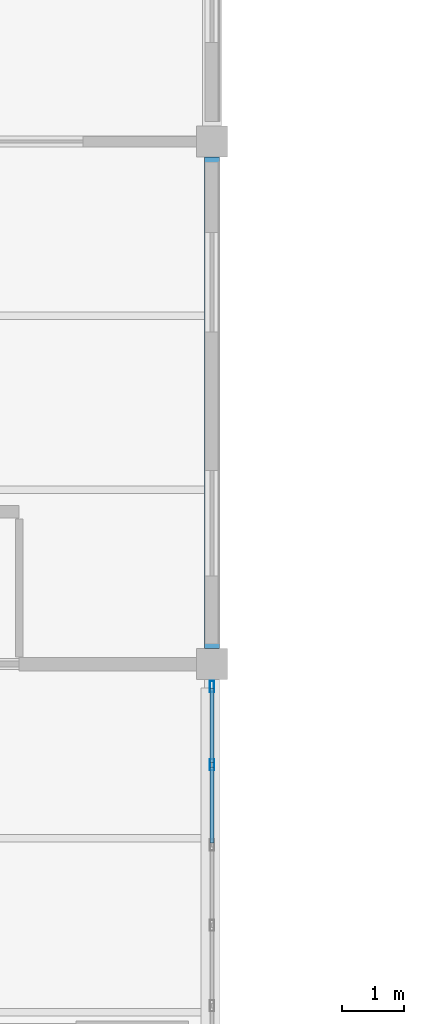
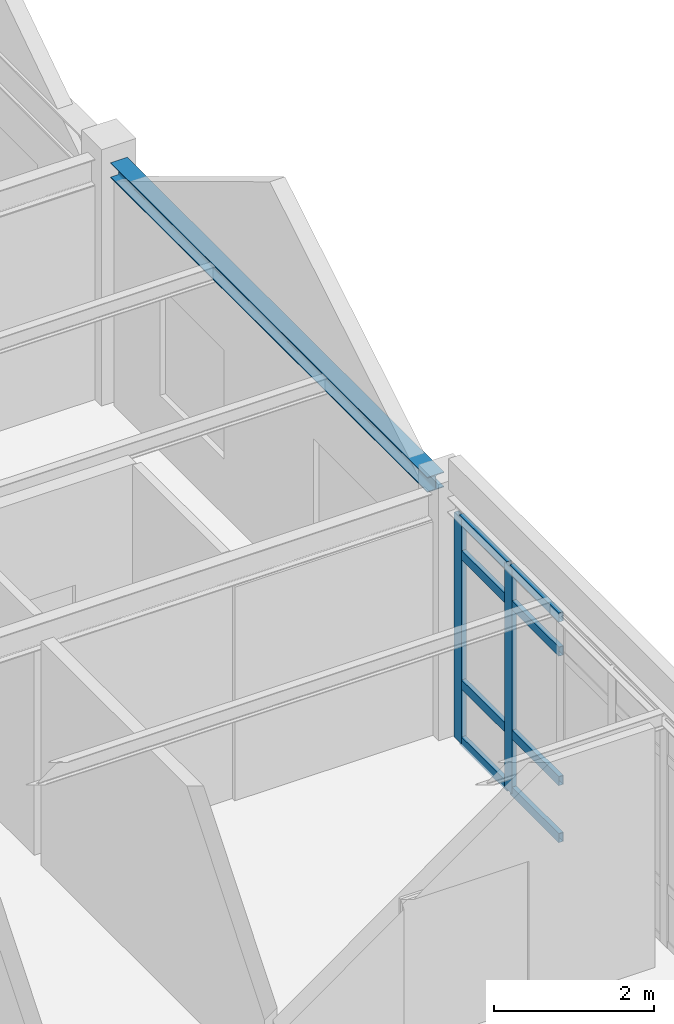
# One storey, part 8 of 45: 10 members, 1 beam, 1 element without a shape of its own.
"""IFC4 building model written with IfcOpenShell, lengths in metres."""

from ifc_helpers import new_model, si_unit, direction, frame, origin, origin_2d, place, context, subcontext, project, spatial, hollow_rectangle, i_section, extrude, material, layer, layer_set, material_profile, profile_set, type_object, element, aggregate, save


model = new_model("IFC4")

# Units and contexts
model_context = context("Model", 3, precision=1e-05, world=origin(), true_north=direction((0.0, 1.0)))
body_context = subcontext(model_context, "Body", "Model", "MODEL_VIEW")
ifc_project = project(units=[si_unit("LENGTHUNIT", "METRE"), si_unit("AREAUNIT", "SQUARE_METRE"), si_unit("VOLUMEUNIT", "CUBIC_METRE"), si_unit("PLANEANGLEUNIT", "RADIAN"), si_unit("MASSUNIT", "GRAM", prefix="KILO")], contexts=[model_context])

# Site, building, storey
site_placement = place(None, origin())
site = spatial("IfcSite", under=ifc_project, at=site_placement, CompositionType="ELEMENT")
building_placement = place(site_placement, origin())
building = spatial("IfcBuilding", under=site, at=building_placement, Name="Bramfleet General Hospital", CompositionType="ELEMENT")
storey_placement = place(building_placement, frame((0.0, 0.0, 30.300048828125)))
storey = spatial("IfcBuildingStorey", under=building, at=storey_placement, Name="L07", CompositionType="ELEMENT", Elevation=30.300048828125)

# Beam
ifc_material_1 = material(Name="Steel S355", Category="steel")
ifc_material_profile_1 = material_profile(ifc_material_1, i_section(OverallWidth=0.239990234375, OverallDepth=0.22998046875, WebThickness=0.007568359375, FlangeThickness=0.011962890625, FilletRadius=0.02099609375, at=origin_2d()), Name="HEA 240")
ifc_profile_set_1 = profile_set([ifc_material_profile_1], Name="Steel S355")
beam_type = type_object("IfcBeamType", Name="BM-HEA240", PredefinedType="SPANDREL", material=ifc_profile_set_1)
beam_placement = place(storey_placement, frame((117.60009765625, 50.64990234375, 3.544921875), z_axis=(0.0, 1.0, 0.0), x_axis=(-1.0, 0.0, 0.0)))
element("IfcBeam", 1, at=beam_placement, inside=storey, type_object=beam_type, Name="L07 Grid Beam Y 14-06", PredefinedType="SPANDREL", context=body_context, shape_type="SweptSolid", body=[
    extrude(i_section(OverallWidth=0.239990234375, OverallDepth=0.22998046875, WebThickness=0.007568359375, FlangeThickness=0.011962890625, FilletRadius=0.02099609375, at=origin_2d()), origin(), (0.0, 0.0, 1.0), 7.900146484375),
])

# Curtain wall, members
ifc_material_2 = material(Name="Anodised aluminium and low-E triple glazing", Category="aluminium")
ifc_layer = layer(ifc_material_2, 0.179931640625, Name="CWT-CW-15")
ifc_layer_set = layer_set([ifc_layer], Name="Anodised aluminium and low-E triple glazing")
curtain_wall_type = type_object("IfcCurtainWallType", Name="CWT-CW-15", PredefinedType="USERDEFINED", material=ifc_layer_set)
curtain_wall_placement = place(storey_placement, origin())
curtain_wall = element("IfcCurtainWall", 2, at=curtain_wall_placement, inside=storey, type_object=curtain_wall_type, Name="L07 Curtain Wall 231", ObjectType="Stick curtain wall", PredefinedType="USERDEFINED")
ifc_material_3 = material(Name="Anodised aluminium EN AW-6060", Category="aluminium")
ifc_material_profile_2 = material_profile(ifc_material_3, hollow_rectangle(XDim=0.070068359375, YDim=0.179931640625, WallThickness=0.00390625, at=origin_2d()), Name="ALU 180x70x4.0")
ifc_profile_set_2 = profile_set([ifc_material_profile_2], Name="Anodised aluminium EN AW-6060")
member_type_1 = type_object("IfcMemberType", Name="CWM-ALU180", PredefinedType="MULLION", material=ifc_profile_set_2)
member_1_placement = place(storey_placement, frame((117.60009765625, 50.0400390625, 0.0), z_axis=(0.0, 0.0, 1.0), x_axis=(1.0, 0.0, 0.0)))
member_1 = element("IfcMember", 3, at=member_1_placement, type_object=member_type_1, Name="CW-15 mullion 1", PredefinedType="MULLION", context=body_context, shape_type="SweptSolid", body=[
    extrude(hollow_rectangle(XDim=0.070068359375, YDim=0.179931640625, WallThickness=0.00390625, at=origin_2d()), origin(), (0.0, 0.0, 1.0), 3.419921875),
])
member_2_placement = place(storey_placement, frame((117.60009765625, 48.783447265625, 0.0), z_axis=(0.0, 0.0, 1.0), x_axis=(1.0, 0.0, 0.0)))
member_2 = element("IfcMember", 4, at=member_2_placement, type_object=member_type_1, Name="CW-15 mullion 2", PredefinedType="MULLION", context=body_context, shape_type="SweptSolid", body=[
    extrude(hollow_rectangle(XDim=0.070068359375, YDim=0.179931640625, WallThickness=0.00390625, at=origin_2d()), origin(), (0.0, 0.0, 1.0), 3.419921875),
])
ifc_material_profile_3 = material_profile(ifc_material_3, hollow_rectangle(XDim=0.06494140625, YDim=0.139892578125, WallThickness=0.00390625, at=origin_2d()), Name="ALU 140x65x4.0")
ifc_profile_set_3 = profile_set([ifc_material_profile_3], Name="Anodised aluminium EN AW-6060")
member_type_2 = type_object("IfcMemberType", Name="CWT-ALU140", PredefinedType="USERDEFINED", material=ifc_profile_set_3)
member_3_placement = place(storey_placement, frame((117.60009765625, 50.0048828125, 0.032470703125), z_axis=(0.0, -1.0, 0.0), x_axis=(1.0, 0.0, 0.0)))
member_3 = element("IfcMember", 5, at=member_3_placement, type_object=member_type_2, Name="CW-15 transom 1.1", ObjectType="TRANSOM", PredefinedType="USERDEFINED", context=body_context, shape_type="SweptSolid", body=[
    extrude(hollow_rectangle(XDim=0.06494140625, YDim=0.139892578125, WallThickness=0.00390625, at=origin_2d()), origin(), (0.0, 0.0, 1.0), 1.1865234375),
])
member_4_placement = place(storey_placement, frame((117.60009765625, 50.0048828125, 0.89990234375), z_axis=(0.0, -1.0, 0.0), x_axis=(1.0, 0.0, 0.0)))
member_4 = element("IfcMember", 6, at=member_4_placement, type_object=member_type_2, Name="CW-15 transom 1.2", ObjectType="TRANSOM", PredefinedType="USERDEFINED", context=body_context, shape_type="SweptSolid", body=[
    extrude(hollow_rectangle(XDim=0.06494140625, YDim=0.139892578125, WallThickness=0.00390625, at=origin_2d()), origin(), (0.0, 0.0, 1.0), 1.1865234375),
])
member_5_placement = place(storey_placement, frame((117.60009765625, 50.0048828125, 2.869873046875), z_axis=(0.0, -1.0, 0.0), x_axis=(1.0, 0.0, 0.0)))
member_5 = element("IfcMember", 7, at=member_5_placement, type_object=member_type_2, Name="CW-15 transom 1.3", ObjectType="TRANSOM", PredefinedType="USERDEFINED", context=body_context, shape_type="SweptSolid", body=[
    extrude(hollow_rectangle(XDim=0.06494140625, YDim=0.139892578125, WallThickness=0.00390625, at=origin_2d()), origin(), (0.0, 0.0, 1.0), 1.1865234375),
])
member_6_placement = place(storey_placement, frame((117.60009765625, 50.0048828125, 3.387451171875), z_axis=(0.0, -1.0, 0.0), x_axis=(1.0, 0.0, 0.0)))
member_6 = element("IfcMember", 8, at=member_6_placement, type_object=member_type_2, Name="CW-15 transom 1.4", ObjectType="TRANSOM", PredefinedType="USERDEFINED", context=body_context, shape_type="SweptSolid", body=[
    extrude(hollow_rectangle(XDim=0.06494140625, YDim=0.139892578125, WallThickness=0.00390625, at=origin_2d()), origin(), (0.0, 0.0, 1.0), 1.1865234375),
])
member_7_placement = place(storey_placement, frame((117.60009765625, 48.748291015625, 0.032470703125), z_axis=(0.0, -1.0, 0.0), x_axis=(1.0, 0.0, 0.0)))
member_7 = element("IfcMember", 9, at=member_7_placement, type_object=member_type_2, Name="CW-15 transom 2.1", ObjectType="TRANSOM", PredefinedType="USERDEFINED", context=body_context, shape_type="SweptSolid", body=[
    extrude(hollow_rectangle(XDim=0.06494140625, YDim=0.139892578125, WallThickness=0.00390625, at=origin_2d()), origin(), (0.0, 0.0, 1.0), 1.2216796875),
])
member_8_placement = place(storey_placement, frame((117.60009765625, 48.748291015625, 0.89990234375), z_axis=(0.0, -1.0, 0.0), x_axis=(1.0, 0.0, 0.0)))
member_8 = element("IfcMember", 10, at=member_8_placement, type_object=member_type_2, Name="CW-15 transom 2.2", ObjectType="TRANSOM", PredefinedType="USERDEFINED", context=body_context, shape_type="SweptSolid", body=[
    extrude(hollow_rectangle(XDim=0.06494140625, YDim=0.139892578125, WallThickness=0.00390625, at=origin_2d()), origin(), (0.0, 0.0, 1.0), 1.2216796875),
])
member_9_placement = place(storey_placement, frame((117.60009765625, 48.748291015625, 2.869873046875), z_axis=(0.0, -1.0, 0.0), x_axis=(1.0, 0.0, 0.0)))
member_9 = element("IfcMember", 11, at=member_9_placement, type_object=member_type_2, Name="CW-15 transom 2.3", ObjectType="TRANSOM", PredefinedType="USERDEFINED", context=body_context, shape_type="SweptSolid", body=[
    extrude(hollow_rectangle(XDim=0.06494140625, YDim=0.139892578125, WallThickness=0.00390625, at=origin_2d()), origin(), (0.0, 0.0, 1.0), 1.2216796875),
])
member_10_placement = place(storey_placement, frame((117.60009765625, 48.748291015625, 3.387451171875), z_axis=(0.0, -1.0, 0.0), x_axis=(1.0, 0.0, 0.0)))
member_10 = element("IfcMember", 12, at=member_10_placement, type_object=member_type_2, Name="CW-15 transom 2.4", ObjectType="TRANSOM", PredefinedType="USERDEFINED", context=body_context, shape_type="SweptSolid", body=[
    extrude(hollow_rectangle(XDim=0.06494140625, YDim=0.139892578125, WallThickness=0.00390625, at=origin_2d()), origin(), (0.0, 0.0, 1.0), 1.2216796875),
])
aggregate(curtain_wall, [member_1, member_2, member_3, member_4, member_5, member_6, member_7, member_8, member_9, member_10])

save(model, "model.ifc")
